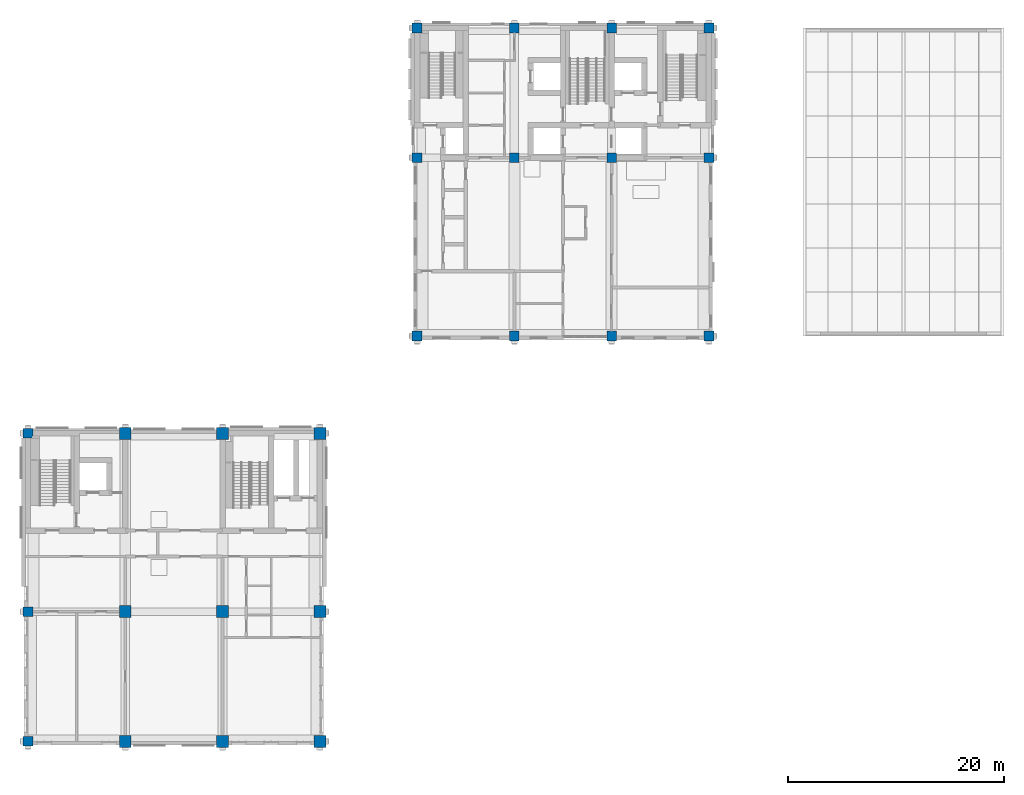
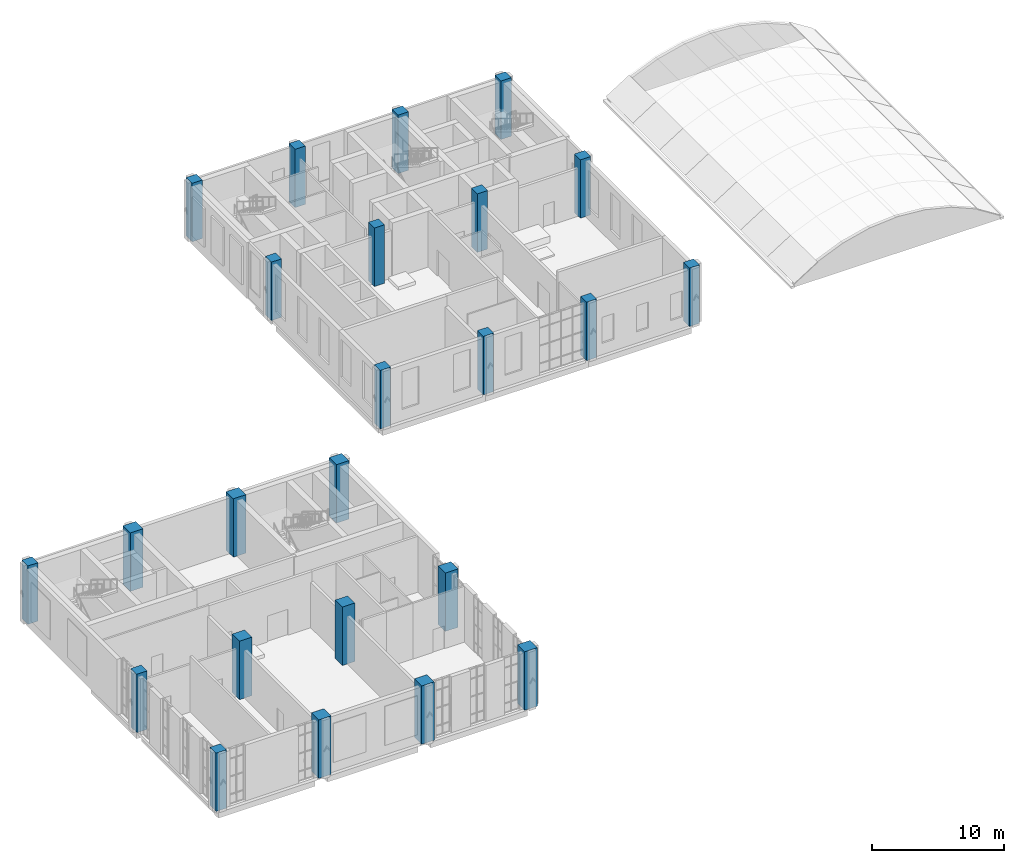
# One storey, part 1 of 25: 24 columns.
"""IFC4 building model written with IfcOpenShell, lengths in metres."""

from ifc_helpers import new_model, si_unit, direction, frame, origin, origin_2d, place, context, subcontext, project, spatial, rectangle, extrude, material, material_profile, profile_set, type_object, element, save


model = new_model("IFC4")

# Units and contexts
model_context = context("Model", 3, precision=1e-05, world=origin(), true_north=direction((0.0, 1.0)))
body_context = subcontext(model_context, "Body", "Model", "MODEL_VIEW")
ifc_project = project(units=[si_unit("LENGTHUNIT", "METRE"), si_unit("AREAUNIT", "SQUARE_METRE"), si_unit("VOLUMEUNIT", "CUBIC_METRE"), si_unit("PLANEANGLEUNIT", "RADIAN"), si_unit("MASSUNIT", "GRAM", prefix="KILO")], contexts=[model_context])

# Site, building, storey
site_placement = place(None, origin())
site = spatial("IfcSite", under=ifc_project, at=site_placement, CompositionType="ELEMENT")
building_placement = place(site_placement, origin())
building = spatial("IfcBuilding", under=site, at=building_placement, Name="Aurelan Courthouse", CompositionType="ELEMENT")
storey_placement = place(building_placement, frame((0.0, 0.0, 33.60009765625)))
storey = spatial("IfcBuildingStorey", under=building, at=storey_placement, Name="L06", CompositionType="ELEMENT", Elevation=33.60009765625)

# Columns
ifc_material = material(Name="Concrete C50", Category="concrete")
ifc_material_profile_1 = material_profile(ifc_material, rectangle(XDim=1.10009765625, YDim=1.10009765625, at=origin_2d()), Name="RC 1100 x 1100")
ifc_profile_set_1 = profile_set([ifc_material_profile_1], Name="Concrete C50")
column_type_1 = type_object("IfcColumnType", Name="RC column 1100 x 1100 C50", PredefinedType="COLUMN", material=ifc_profile_set_1)
for number, where, z_axis, x_axis, name in (
    (1, (9.0, 0.0, 0.0), (0.0, 0.0, 1.0), (1.0, 0.0, 0.0), "Column C-A2-C"),
    (2, (18.0, 0.0, 0.0), (0.0, 0.0, 1.0), (1.0, 0.0, 0.0), "Column C-A3-C"),
    (3, (27.0, 0.0, 0.0), (0.0, 0.0, 1.0), (1.0, 0.0, 0.0), "Column C-A4-C"),
    (4, (9.0, 12.0, 0.0), (0.0, 0.0, 1.0), (1.0, 0.0, 0.0), "Column C-B2-C"),
    (5, (18.0, 12.0, 0.0), (0.0, 0.0, 1.0), (1.0, 0.0, 0.0), "Column C-B3-C"),
    (6, (27.0, 12.0, 0.0), (0.0, 0.0, 1.0), (1.0, 0.0, 0.0), "Column C-B4-C"),
    (7, (9.0, 28.5, 0.0), (0.0, 0.0, 1.0), (1.0, 0.0, 0.0), "Column C-C2-C"),
    (8, (18.0, 28.5, 0.0), (0.0, 0.0, 1.0), (1.0, 0.0, 0.0), "Column C-C3-C"),
    (9, (27.0, 28.5, 0.0), (0.0, 0.0, 1.0), (1.0, 0.0, 0.0), "Column C-C4-C"),
):
    element("IfcColumn", number, at=place(storey_placement, frame(where, z_axis=z_axis, x_axis=x_axis)), inside=storey, type_object=column_type_1, Name=name, PredefinedType="COLUMN", context=body_context, shape_type="SweptSolid", body=[
        extrude(rectangle(XDim=1.10009765625, YDim=1.10009765625, at=origin_2d()), origin(), (0.0, 0.0, 1.0), 5.39990234375),
    ])
ifc_material_profile_2 = material_profile(ifc_material, rectangle(XDim=0.89990234375, YDim=0.89990234375, at=origin_2d()), Name="RC 900 x 900")
ifc_profile_set_2 = profile_set([ifc_material_profile_2], Name="Concrete C50")
column_type_2 = type_object("IfcColumnType", Name="RC column 900 x 900 C50", PredefinedType="COLUMN", material=ifc_profile_set_2)
for number, where, z_axis, x_axis, name in (
    (10, (0.0, 0.0, 0.0), (0.0, 0.0, 1.0), (1.0, 0.0, 0.0), "Column C-A1-C"),
    (11, (0.0, 12.0, 0.0), (0.0, 0.0, 1.0), (1.0, 0.0, 0.0), "Column C-B1-C"),
    (12, (0.0, 28.5, 0.0), (0.0, 0.0, 1.0), (1.0, 0.0, 0.0), "Column C-C1-C"),
    (13, (36.0, 37.5, 0.0), (0.0, 0.0, 1.0), (1.0, 0.0, 0.0), "Column C-D5-B"),
    (14, (45.0, 37.5, 0.0), (0.0, 0.0, 1.0), (1.0, 0.0, 0.0), "Column C-D6-B"),
    (15, (54.0, 37.5, 0.0), (0.0, 0.0, 1.0), (1.0, 0.0, 0.0), "Column C-D7-B"),
    (16, (63.0, 37.5, 0.0), (0.0, 0.0, 1.0), (1.0, 0.0, 0.0), "Column C-D8-B"),
    (17, (36.0, 54.0, 0.0), (0.0, 0.0, 1.0), (1.0, 0.0, 0.0), "Column C-E5-B"),
    (18, (45.0, 54.0, 0.0), (0.0, 0.0, 1.0), (1.0, 0.0, 0.0), "Column C-E6-B"),
    (19, (54.0, 54.0, 0.0), (0.0, 0.0, 1.0), (1.0, 0.0, 0.0), "Column C-E7-B"),
    (20, (63.0, 54.0, 0.0), (0.0, 0.0, 1.0), (1.0, 0.0, 0.0), "Column C-E8-B"),
    (21, (36.0, 66.0, 0.0), (0.0, 0.0, 1.0), (1.0, 0.0, 0.0), "Column C-F5-B"),
    (22, (45.0, 66.0, 0.0), (0.0, 0.0, 1.0), (1.0, 0.0, 0.0), "Column C-F6-B"),
    (23, (54.0, 66.0, 0.0), (0.0, 0.0, 1.0), (1.0, 0.0, 0.0), "Column C-F7-B"),
    (24, (63.0, 66.0, 0.0), (0.0, 0.0, 1.0), (1.0, 0.0, 0.0), "Column C-F8-B"),
):
    element("IfcColumn", number, at=place(storey_placement, frame(where, z_axis=z_axis, x_axis=x_axis)), inside=storey, type_object=column_type_2, Name=name, PredefinedType="COLUMN", context=body_context, shape_type="SweptSolid", body=[
        extrude(rectangle(XDim=0.89990234375, YDim=0.89990234375, at=origin_2d()), origin(), (0.0, 0.0, 1.0), 5.39990234375),
    ])

save(model, "model.ifc")
